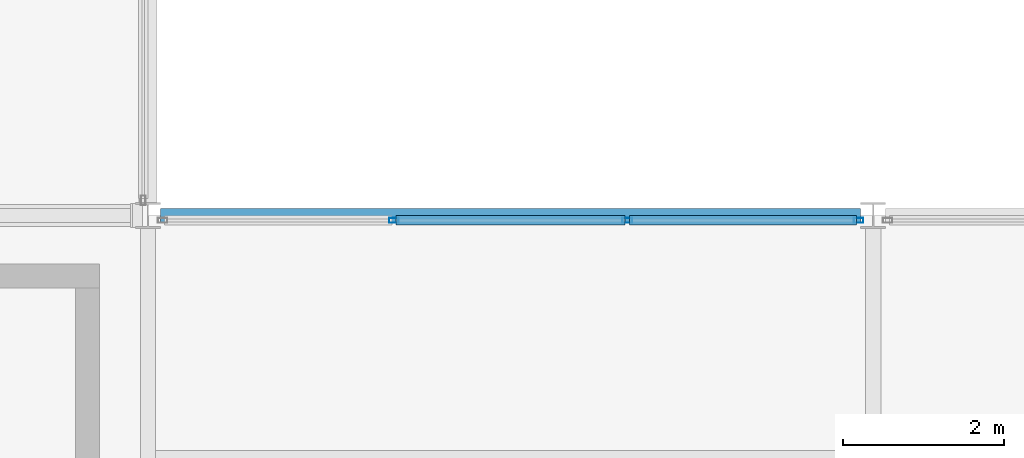
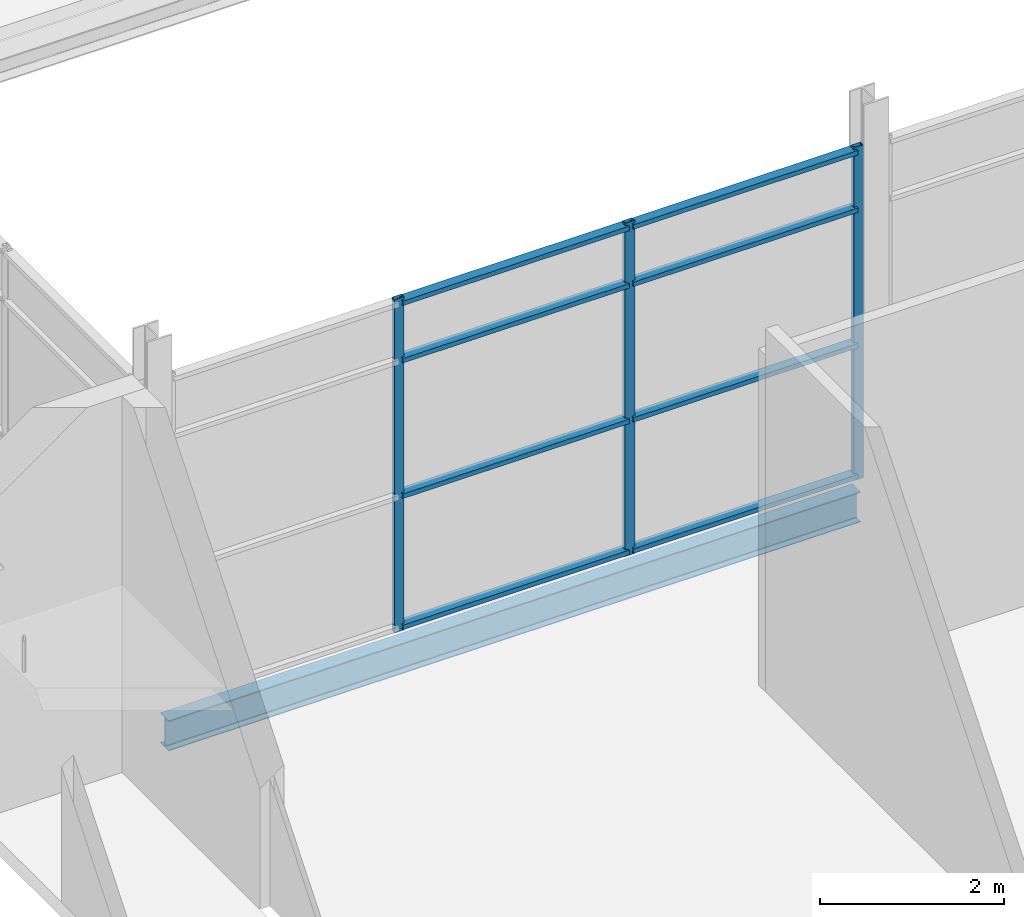
# One storey, part 25 of 115: 11 members, 1 beam, 1 element without a shape of its own.
"""IFC4 building model written with IfcOpenShell, lengths in metres."""

import ifcopenshell
import ifcopenshell.guid

model = None  # the IFC model being written
_history = None  # IfcOwnerHistory: only IFC2X3 demands one
_inside = {}  # id of a spatial element -> (the spatial element, [elements in it])
_under = {}  # id of a project, library or spatial element -> (it, [spatial elements below it])
_declared = {}  # id of a project -> (the project, [libraries it declares])
_typed = {}  # id of a type object -> (the type object, [elements of that type])
_made_of = {}  # id of a material, layer set ... -> (it, [elements and type objects made of it])


def new_model(schema):
    """Start an empty IFC model of exactly this schema.

    Asked for "IFC4X3", IfcOpenShell would pick the latest addendum, in which some entities
    have other attributes; the version numbers below select the first issue.
    IFC2X3 requires an IfcOwnerHistory on every rooted entity: one is made here for all.
    """
    global model, _history
    if schema == "IFC4X3":
        model = ifcopenshell.file(schema_version=(4, 3, 0, 0))
    else:
        model = ifcopenshell.file(schema=schema)
    _inside.clear()
    _under.clear()
    _declared.clear()
    _typed.clear()
    _made_of.clear()
    _history = None
    if model.schema == "IFC2X3":
        org = make("IfcOrganization", Name="unknown")
        user = make(
            "IfcPersonAndOrganization",
            ThePerson=make("IfcPerson", FamilyName="unknown"),
            TheOrganization=org,
        )
        app = make(
            "IfcApplication",
            ApplicationDeveloper=org,
            Version="unknown",
            ApplicationFullName="unknown",
            ApplicationIdentifier="unknown",
        )
        _history = make(
            "IfcOwnerHistory",
            OwningUser=user,
            OwningApplication=app,
            ChangeAction="ADDED",
            CreationDate=0,
        )
    return model


def make(cls, **values):
    """One entity of the class cls with the attributes given. An attribute that is None is left unset."""
    return model.create_entity(
        cls, **{name: value for name, value in values.items() if value is not None}
    )


def rooted(cls, **values):
    """An entity with a GlobalId (a new one), such as an element, a storey or a relation."""
    return make(cls, GlobalId=ifcopenshell.guid.new(), OwnerHistory=_history, **values)


def si_unit(unit_type, name, prefix=None):
    """IfcSIUnit, for example si_unit("LENGTHUNIT", "METRE", prefix="MILLI")."""
    return make("IfcSIUnit", UnitType=unit_type, Prefix=prefix, Name=name)


def assignment(units):
    """IfcUnitAssignment: the units of a project."""
    return None if units is None else make("IfcUnitAssignment", Units=units)


def point(xyz):
    """IfcCartesianPoint."""
    return None if xyz is None else make("IfcCartesianPoint", Coordinates=xyz)


def direction(xyz):
    """IfcDirection."""
    return None if xyz is None else make("IfcDirection", DirectionRatios=xyz)


def frame(location, z_axis=None, x_axis=None):
    """IfcAxis2Placement3D, a coordinate frame: its origin and axes. An axis left out is left unset."""
    return make(
        "IfcAxis2Placement3D",
        Location=point(location),
        Axis=direction(z_axis),
        RefDirection=direction(x_axis),
    )


def frame_2d(location, x_axis=None):
    """IfcAxis2Placement2D, a coordinate frame in the plane: its origin and x axis."""
    return make(
        "IfcAxis2Placement2D", Location=point(location), RefDirection=direction(x_axis)
    )


def origin():
    """The frame at (0, 0, 0) with its axes left unset."""
    return frame((0.0, 0.0, 0.0))


def origin_2d():
    """The frame at (0, 0) in the plane with its x axis left unset."""
    return frame_2d((0.0, 0.0))


def place(relative_to, where):
    """IfcLocalPlacement: puts the frame where relative to a parent placement (None: the world)."""
    return make(
        "IfcLocalPlacement", PlacementRelTo=relative_to, RelativePlacement=where
    )


def context(
    kind, dimensions, precision=None, world=None, true_north=None, identifier=None
):
    """IfcGeometricRepresentationContext, for example the 3D "Model" context."""
    return make(
        "IfcGeometricRepresentationContext",
        ContextIdentifier=identifier,
        ContextType=kind,
        CoordinateSpaceDimension=dimensions,
        Precision=precision,
        WorldCoordinateSystem=world,
        TrueNorth=true_north,
    )


def subcontext(parent, identifier, kind, view, scale=None):
    """IfcGeometricRepresentationSubContext, for example "Body" below "Model"."""
    return make(
        "IfcGeometricRepresentationSubContext",
        ContextIdentifier=identifier,
        ContextType=kind,
        ParentContext=parent,
        TargetScale=scale,
        TargetView=view,
    )


def project(units=None, contexts=None):
    """IfcProject with its units and contexts."""
    return rooted(
        "IfcProject",
        Name="project",
        RepresentationContexts=contexts,
        UnitsInContext=assignment(units),
    )


def spatial(cls, under=None, at=None, **own):
    """A site, building, storey or space (cls), placed at a placement, below another one or the project."""
    s = rooted(cls, ObjectPlacement=at, **own)
    if under is not None:
        _under.setdefault(under.id(), (under, []))[1].append(s)
    return s


def profile(cls, at=None, kind="AREA", **sizes):
    """A parametric profile (cls). Its sizes go by their IFC names, for example OverallWidth=200.0."""
    return make(cls, ProfileType=kind, Position=at, **sizes)


def hollow_rectangle(**sizes):
    """IfcRectangleHollowProfileDef."""
    return profile("IfcRectangleHollowProfileDef", **sizes)


def i_section(**sizes):
    """IfcIShapeProfileDef."""
    return profile("IfcIShapeProfileDef", **sizes)


def extrude(swept, where, along, depth):
    """IfcExtrudedAreaSolid: the profile swept, set in the frame where, extruded along a direction by depth."""
    return make(
        "IfcExtrudedAreaSolid",
        SweptArea=swept,
        Position=where,
        ExtrudedDirection=direction(along),
        Depth=depth,
    )


def shape(context_of_items, identifier, shape_type, items):
    """IfcShapeRepresentation: the items that make up one representation, for example the "Body"."""
    return make(
        "IfcShapeRepresentation",
        ContextOfItems=context_of_items,
        RepresentationIdentifier=identifier,
        RepresentationType=shape_type,
        Items=items,
    )


def material(Name=None, Category=None):
    """IfcMaterial."""
    return make("IfcMaterial", Name=Name, Category=Category)


def layer(
    of_material, thickness, ventilated=None, Name=None, Category=None, Priority=None
):
    """IfcMaterialLayer: one layer of a wall or slab, of a material (None: an air gap)."""
    return make(
        "IfcMaterialLayer",
        Material=of_material,
        LayerThickness=thickness,
        IsVentilated=ventilated,
        Name=Name,
        Category=Category,
        Priority=Priority,
    )


def layer_set(layers, Name=None):
    """IfcMaterialLayerSet."""
    return make("IfcMaterialLayerSet", MaterialLayers=layers, LayerSetName=Name)


def material_profile(
    of_material, cross_section, Name=None, Category=None, Priority=None
):
    """IfcMaterialProfile: a cross section and its material."""
    return make(
        "IfcMaterialProfile",
        Name=Name,
        Material=of_material,
        Profile=cross_section,
        Priority=Priority,
        Category=Category,
    )


def profile_set(profiles, Name=None, composite=None):
    """IfcMaterialProfileSet."""
    return make(
        "IfcMaterialProfileSet",
        Name=Name,
        MaterialProfiles=profiles,
        CompositeProfile=composite,
    )


def made_of(thing, what):
    """Note that an element or type object is made of a material, layer set ...; save() writes the relation."""
    if what is not None:
        _made_of.setdefault(what.id(), (what, []))[1].append(thing)
    return thing


def type_object(cls, material=None, **own):
    """A type object (cls), such as IfcWallType, which elements share."""
    return made_of(rooted(cls, **own), material)


def element(
    cls,
    number,
    at=None,
    inside=None,
    cuts=None,
    type_object=None,
    material=None,
    context=None,
    identifier="Body",
    shape_type=None,
    held_by="IfcProductDefinitionShape",
    body=None,
    shapes=None,
    **own,
):
    """One element of the class cls, such as IfcWall. Its Tag is "e" and its number.

    at: its placement. inside: the storey or other place that contains it. cuts: it is an
    opening in that element (IfcRelVoidsElement). A single representation is given by context,
    identifier, shape_type and body (its items); several are given by shapes. held_by: the class
    of the entity that holds the representations. save() writes the other relations.
    """
    e = rooted(cls, Tag="e%d" % number, ObjectPlacement=at, **own)
    if body is not None:
        shapes = [shape(context, identifier, shape_type, body)]
    if shapes is not None:
        e.Representation = make(held_by, Representations=shapes)
    if inside is not None:
        _inside.setdefault(inside.id(), (inside, []))[1].append(e)
    if cuts is not None:
        rooted(
            "IfcRelVoidsElement", RelatingBuildingElement=cuts, RelatedOpeningElement=e
        )
    if type_object is not None:
        _typed.setdefault(type_object.id(), (type_object, []))[1].append(e)
    return made_of(e, material)


def aggregate(whole, parts):
    """IfcRelAggregates: a whole, such as a stair, and the parts it consists of."""
    return rooted("IfcRelAggregates", RelatingObject=whole, RelatedObjects=parts)


def save(model, path):
    """Write the relations noted so far, then the file.

    IfcRelAggregates (storeys below a building ...), IfcRelContainedInSpatialStructure (elements
    in a storey), IfcRelDefinesByType, IfcRelAssociatesMaterial and IfcRelDeclares: one each for
    every whole, place, type object, material and project.
    """
    for whole, parts in _under.values():
        aggregate(whole, parts)
    for where, things in _inside.values():
        rooted(
            "IfcRelContainedInSpatialStructure",
            RelatedElements=things,
            RelatingStructure=where,
        )
    for kind, things in _typed.values():
        rooted("IfcRelDefinesByType", RelatedObjects=things, RelatingType=kind)
    for what, things in _made_of.values():
        rooted("IfcRelAssociatesMaterial", RelatedObjects=things, RelatingMaterial=what)
    for by, libraries in _declared.values():
        rooted("IfcRelDeclares", RelatingContext=by, RelatedDefinitions=libraries)
    model.write(path)


model = new_model("IFC4")

# Units and contexts
model_context = context("Model", 3, precision=1e-05, world=origin(), true_north=direction((0.0, 1.0)))
body_context = subcontext(model_context, "Body", "Model", "MODEL_VIEW")
ifc_project = project(units=[si_unit("LENGTHUNIT", "METRE"), si_unit("AREAUNIT", "SQUARE_METRE"), si_unit("VOLUMEUNIT", "CUBIC_METRE"), si_unit("PLANEANGLEUNIT", "RADIAN"), si_unit("MASSUNIT", "GRAM", prefix="KILO")], contexts=[model_context])

# Site, building, storey
site_placement = place(None, origin())
site = spatial("IfcSite", under=ifc_project, at=site_placement, CompositionType="ELEMENT")
building_placement = place(site_placement, origin())
building = spatial("IfcBuilding", under=site, at=building_placement, Name="Shorebreak Coast Museum", CompositionType="ELEMENT")
storey_placement = place(building_placement, frame((0.0, 0.0, 11.0)))
storey = spatial("IfcBuildingStorey", under=building, at=storey_placement, Name="L02", CompositionType="ELEMENT", Elevation=11.0)

# Beam
ifc_material_1 = material(Name="Steel Grade 300", Category="steel")
ifc_material_profile_1 = material_profile(ifc_material_1, i_section(OverallWidth=0.177978515625, OverallDepth=0.402587890625, WebThickness=0.007568359375, FlangeThickness=0.010986328125, FilletRadius=0.011474609375, at=origin_2d()), Name="410UB53.7")
ifc_profile_set_1 = profile_set([ifc_material_profile_1], Name="Steel Grade 300")
beam_type = type_object("IfcBeamType", Name="Floor girder east-west 410UB53.7", PredefinedType="BEAM", material=ifc_profile_set_1)
beam_placement = place(storey_placement, frame((63.155517578125, 63.0, -0.376220703125), z_axis=(1.0, 0.0, 0.0), x_axis=(0.0, 1.0, 0.0)))
element("IfcBeam", 1, at=beam_placement, inside=storey, type_object=beam_type, Name="Floor girder east-west L02 8H", PredefinedType="BEAM", context=body_context, shape_type="SweptSolid", body=[
    extrude(i_section(OverallWidth=0.177978515625, OverallDepth=0.402587890625, WebThickness=0.007568359375, FlangeThickness=0.010986328125, FilletRadius=0.011474609375, at=origin_2d()), origin(), (0.0, 0.0, 1.0), 8.68896484375),
])

# Curtain wall, members
ifc_material_2 = material(Name="Aluminium", Category="aluminium")
ifc_layer = layer(ifc_material_2, 0.1201171875)
ifc_layer_set = layer_set([ifc_layer], Name="Aluminium")
curtain_wall_type = type_object("IfcCurtainWallType", Name="Atrium fire screen", PredefinedType="NOTDEFINED", material=ifc_layer_set)
curtain_wall_placement = place(storey_placement, origin())
curtain_wall = element("IfcCurtainWall", 2, at=curtain_wall_placement, inside=storey, type_object=curtain_wall_type, Name="Atrium screen L02 S 16", PredefinedType="NOTDEFINED")
ifc_material_3 = material(Name="Aluminium", Category="aluminium")
ifc_material_profile_2 = material_profile(ifc_material_3, hollow_rectangle(XDim=0.06005859375, YDim=0.1201171875, WallThickness=0.00341796875, at=origin_2d()), Name="AL 120x60 RHS")
ifc_profile_set_2 = profile_set([ifc_material_profile_2], Name="Aluminium")
member_type_1 = type_object("IfcMemberType", Name="Screen mullion 50 x 120", PredefinedType="MULLION", material=ifc_profile_set_2)
member_1_placement = place(storey_placement, frame((66.0517578125, 62.93994140625, 0.0), z_axis=(0.0, 0.0, 1.0), x_axis=(0.0, 1.0, 0.0)))
member_1 = element("IfcMember", 3, at=member_1_placement, type_object=member_type_1, Name="CW5 mullion 2", PredefinedType="MULLION", context=body_context, shape_type="SweptSolid", body=[
    extrude(hollow_rectangle(XDim=0.06005859375, YDim=0.1201171875, WallThickness=0.00341796875, at=origin_2d()), origin(), (0.0, 0.0, 1.0), 4.42236328125),
])
member_2_placement = place(storey_placement, frame((68.9482421875, 62.93994140625, 0.0), z_axis=(0.0, 0.0, 1.0), x_axis=(0.0, 1.0, 0.0)))
member_2 = element("IfcMember", 4, at=member_2_placement, type_object=member_type_1, Name="CW5 mullion 3", PredefinedType="MULLION", context=body_context, shape_type="SweptSolid", body=[
    extrude(hollow_rectangle(XDim=0.06005859375, YDim=0.1201171875, WallThickness=0.00341796875, at=origin_2d()), origin(), (0.0, 0.0, 1.0), 4.42236328125),
])
member_3_placement = place(storey_placement, frame((71.819580078125, 62.93994140625, 0.0), z_axis=(0.0, 0.0, 1.0), x_axis=(0.0, 1.0, 0.0)))
member_3 = element("IfcMember", 5, at=member_3_placement, type_object=member_type_1, Name="CW5 mullion 4", PredefinedType="MULLION", context=body_context, shape_type="SweptSolid", body=[
    extrude(hollow_rectangle(XDim=0.06005859375, YDim=0.1201171875, WallThickness=0.00341796875, at=origin_2d()), origin(), (0.0, 0.0, 1.0), 4.42236328125),
])
ifc_material_4 = material(Name="Aluminium", Category="aluminium")
ifc_material_profile_3 = material_profile(ifc_material_4, hollow_rectangle(XDim=0.1201171875, YDim=0.06005859375, WallThickness=0.00341796875, at=origin_2d()), Name="AL 60x120 RHS")
ifc_profile_set_3 = profile_set([ifc_material_profile_3], Name="Aluminium")
member_type_2 = type_object("IfcMemberType", Name="Screen transom 120 x 50", PredefinedType="USERDEFINED", material=ifc_profile_set_3)
member_4_placement = place(storey_placement, frame((66.076904296875, 62.93994140625, 0.06005859375), z_axis=(1.0, 0.0, 0.0), x_axis=(0.0, 1.0, 0.0)))
member_4 = element("IfcMember", 6, at=member_4_placement, type_object=member_type_2, Name="CW5 transom 2.1", ObjectType="TRANSOM", PredefinedType="USERDEFINED", context=body_context, shape_type="SweptSolid", body=[
    extrude(hollow_rectangle(XDim=0.1201171875, YDim=0.06005859375, WallThickness=0.00341796875, at=origin_2d()), origin(), (0.0, 0.0, 1.0), 2.84619140625),
])
member_5_placement = place(storey_placement, frame((66.076904296875, 62.93994140625, 1.800048828125), z_axis=(1.0, 0.0, 0.0), x_axis=(0.0, 1.0, 0.0)))
member_5 = element("IfcMember", 7, at=member_5_placement, type_object=member_type_2, Name="CW5 transom 2.2", ObjectType="TRANSOM", PredefinedType="USERDEFINED", context=body_context, shape_type="SweptSolid", body=[
    extrude(hollow_rectangle(XDim=0.1201171875, YDim=0.06005859375, WallThickness=0.00341796875, at=origin_2d()), origin(), (0.0, 0.0, 1.0), 2.84619140625),
])
member_6_placement = place(storey_placement, frame((66.076904296875, 62.93994140625, 3.60009765625), z_axis=(1.0, 0.0, 0.0), x_axis=(0.0, 1.0, 0.0)))
member_6 = element("IfcMember", 8, at=member_6_placement, type_object=member_type_2, Name="CW5 transom 2.3", ObjectType="TRANSOM", PredefinedType="USERDEFINED", context=body_context, shape_type="SweptSolid", body=[
    extrude(hollow_rectangle(XDim=0.1201171875, YDim=0.06005859375, WallThickness=0.00341796875, at=origin_2d()), origin(), (0.0, 0.0, 1.0), 2.84619140625),
])
member_7_placement = place(storey_placement, frame((66.076904296875, 62.93994140625, 4.3623046875), z_axis=(1.0, 0.0, 0.0), x_axis=(0.0, 1.0, 0.0)))
member_7 = element("IfcMember", 9, at=member_7_placement, type_object=member_type_2, Name="CW5 transom 2.4", ObjectType="TRANSOM", PredefinedType="USERDEFINED", context=body_context, shape_type="SweptSolid", body=[
    extrude(hollow_rectangle(XDim=0.1201171875, YDim=0.06005859375, WallThickness=0.00341796875, at=origin_2d()), origin(), (0.0, 0.0, 1.0), 2.84619140625),
])
member_8_placement = place(storey_placement, frame((68.97314453125, 62.93994140625, 0.06005859375), z_axis=(1.0, 0.0, 0.0), x_axis=(0.0, 1.0, 0.0)))
member_8 = element("IfcMember", 10, at=member_8_placement, type_object=member_type_2, Name="CW5 transom 3.1", ObjectType="TRANSOM", PredefinedType="USERDEFINED", context=body_context, shape_type="SweptSolid", body=[
    extrude(hollow_rectangle(XDim=0.1201171875, YDim=0.06005859375, WallThickness=0.00341796875, at=origin_2d()), origin(), (0.0, 0.0, 1.0), 2.8212890625),
])
member_9_placement = place(storey_placement, frame((68.97314453125, 62.93994140625, 1.800048828125), z_axis=(1.0, 0.0, 0.0), x_axis=(0.0, 1.0, 0.0)))
member_9 = element("IfcMember", 11, at=member_9_placement, type_object=member_type_2, Name="CW5 transom 3.2", ObjectType="TRANSOM", PredefinedType="USERDEFINED", context=body_context, shape_type="SweptSolid", body=[
    extrude(hollow_rectangle(XDim=0.1201171875, YDim=0.06005859375, WallThickness=0.00341796875, at=origin_2d()), origin(), (0.0, 0.0, 1.0), 2.8212890625),
])
member_10_placement = place(storey_placement, frame((68.97314453125, 62.93994140625, 3.60009765625), z_axis=(1.0, 0.0, 0.0), x_axis=(0.0, 1.0, 0.0)))
member_10 = element("IfcMember", 12, at=member_10_placement, type_object=member_type_2, Name="CW5 transom 3.3", ObjectType="TRANSOM", PredefinedType="USERDEFINED", context=body_context, shape_type="SweptSolid", body=[
    extrude(hollow_rectangle(XDim=0.1201171875, YDim=0.06005859375, WallThickness=0.00341796875, at=origin_2d()), origin(), (0.0, 0.0, 1.0), 2.8212890625),
])
member_11_placement = place(storey_placement, frame((68.97314453125, 62.93994140625, 4.3623046875), z_axis=(1.0, 0.0, 0.0), x_axis=(0.0, 1.0, 0.0)))
member_11 = element("IfcMember", 13, at=member_11_placement, type_object=member_type_2, Name="CW5 transom 3.4", ObjectType="TRANSOM", PredefinedType="USERDEFINED", context=body_context, shape_type="SweptSolid", body=[
    extrude(hollow_rectangle(XDim=0.1201171875, YDim=0.06005859375, WallThickness=0.00341796875, at=origin_2d()), origin(), (0.0, 0.0, 1.0), 2.8212890625),
])
aggregate(curtain_wall, [member_1, member_2, member_3, member_4, member_5, member_6, member_7, member_8, member_9, member_10, member_11])

save(model, "model.ifc")
